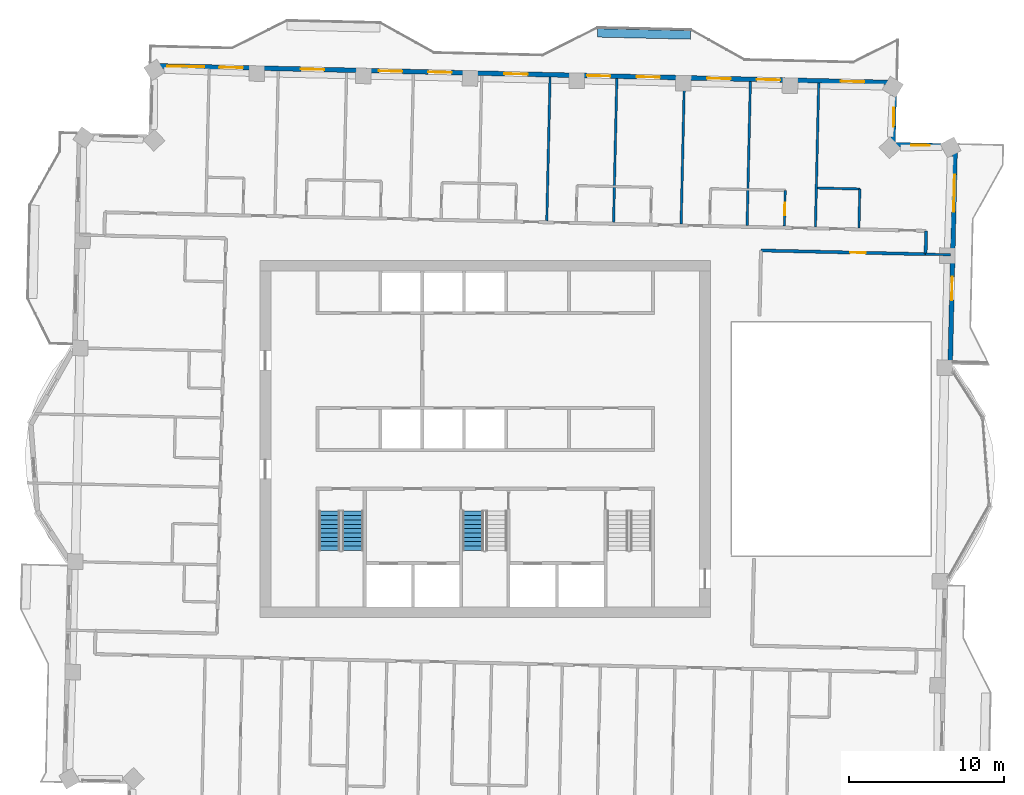
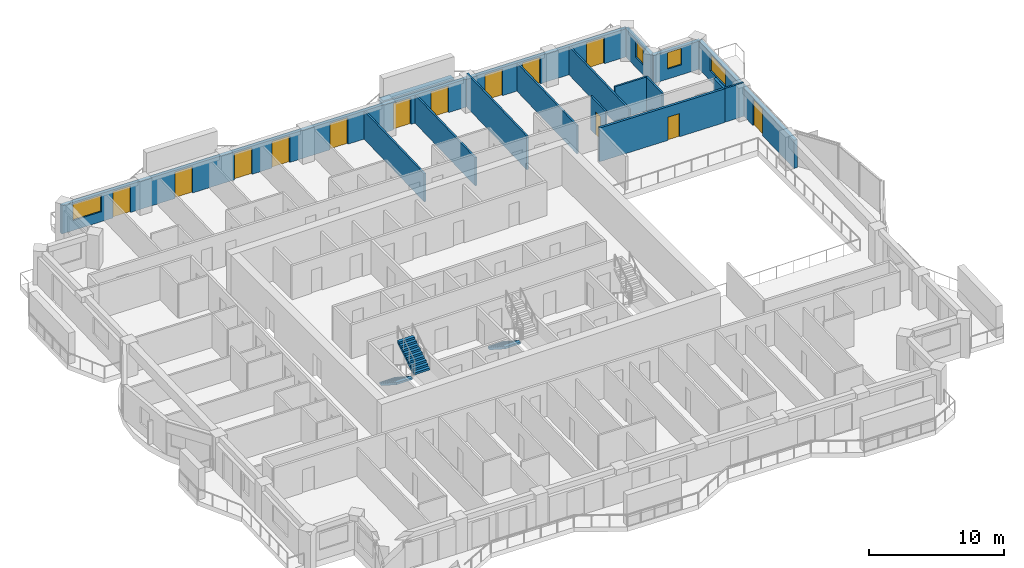
# One storey, part 12 of 17: 16 walls, 13 doors, 4 windows, 3 stair flights, 17 openings, 2 elements without a shape of their own.
"""IFC4 building model written with IfcOpenShell, lengths in metres."""

from ifc_helpers import new_model, si_unit, direction, frame, frame_2d, origin, place, context, subcontext, project, spatial, polyline, rectangle, outline, extrude, material, layer, layer_set, type_object, element, fill, aggregate, save


model = new_model("IFC4")

# Units and contexts
model_context = context("Model", 3, precision=1e-05, world=origin(), true_north=direction((0.0, 1.0)))
body_context = subcontext(model_context, "Body", "Model", "MODEL_VIEW")
ifc_project = project(units=[si_unit("LENGTHUNIT", "METRE"), si_unit("AREAUNIT", "SQUARE_METRE"), si_unit("VOLUMEUNIT", "CUBIC_METRE"), si_unit("PLANEANGLEUNIT", "RADIAN"), si_unit("MASSUNIT", "GRAM", prefix="KILO")], contexts=[model_context])

# Site, building, storey
site_placement = place(None, origin())
site = spatial("IfcSite", under=ifc_project, at=site_placement, CompositionType="ELEMENT")
building_placement = place(site_placement, origin())
building = spatial("IfcBuilding", under=site, at=building_placement, Name="Mangrove Gate Tower", CompositionType="ELEMENT")
storey_placement = place(building_placement, frame((0.0, 0.0, 268.10009765625)))
storey = spatial("IfcBuildingStorey", under=building, at=storey_placement, Name="L68", CompositionType="ELEMENT", Elevation=268.10009765625)

# Wall, opening, door
ifc_material_1 = material(Name="Gypsum board on steel stud, EI 60", Category="steel")
ifc_layer_1 = layer(ifc_material_1, 0.199951171875)
ifc_layer_set_1 = layer_set([ifc_layer_1], Name="Corridor wall EI 60")
wall_type_1 = type_object("IfcWallType", Name="Corridor wall EI 60", PredefinedType="PARTITIONING", material=ifc_layer_set_1)
wall_1_placement = place(storey_placement, frame((17.7529296875, 12.136962890625, 0.0), z_axis=(0.0, 0.0, 1.0), x_axis=(0.999743663474, -0.022640833553, 0.0)))
wall_1 = element("IfcWall", 1, at=wall_1_placement, inside=storey, type_object=wall_type_1, Name="WALL-L68-053", PredefinedType="PARTITIONING", context=body_context, shape_type="SweptSolid", body=[
    extrude(rectangle(XDim=10.599853515625, YDim=0.199951171875, at=frame_2d((5.2998046875, 0.0))), origin(), (0.0, 0.0, 1.0), 3.0498046875),
])
opening_1_placement = place(wall_1_placement, frame((5.75, 0.0, 0.0)))
opening_1 = element("IfcOpeningElement", 2, at=opening_1_placement, cuts=wall_1, Name="Opening AD", PredefinedType="OPENING", context=body_context, shape_type="SweptSolid", body=[
    extrude(rectangle(XDim=1.0, YDim=2.10009765625, at=frame_2d((0.5, 1.050048828125))), frame((0.0, 0.10986328125, 0.0), z_axis=(0.0, -1.0, 0.0), x_axis=(1.0, 0.0, 0.0)), (0.0, 0.0, 1.0), 0.219970703125),
])
ifc_material_2 = material(Name="Timber door leaf", Category="wood")
door_type_1 = type_object("IfcDoorType", Name="Amenity door 1000", OperationType="SINGLE_SWING_LEFT", PredefinedType="DOOR", material=ifc_material_2)
door_1_placement = place(opening_1_placement, origin())
door_1 = element("IfcDoor", 3, at=door_1_placement, inside=storey, type_object=door_type_1, Name="DOOR-L68-GAM-c3a", OperationType="SINGLE_SWING_RIGHT", OverallHeight=2.10009765625, OverallWidth=1.0, PredefinedType="DOOR", context=body_context, shape_type="SweptSolid", body=[
    extrude(rectangle(XDim=1.0, YDim=2.10009765625, at=frame_2d((0.5, 1.050048828125))), frame((0.0, 0.02490234375, 0.0), z_axis=(0.0, -1.0, 0.0), x_axis=(1.0, 0.0, 0.0)), (0.0, 0.0, 1.0), 0.050048828125),
])
fill(opening_1, door_1)

# Wall
wall_2_placement = place(storey_placement, frame((28.35400390625, 11.89697265625, 0.0), z_axis=(0.0, 0.0, 1.0), x_axis=(0.022632637625, 0.99974384905, 0.0)))
element("IfcWall", 4, at=wall_2_placement, inside=storey, type_object=wall_type_1, Name="WALL-L68-055", PredefinedType="PARTITIONING", context=body_context, shape_type="SweptSolid", body=[
    extrude(rectangle(XDim=1.49951171875, YDim=0.199951171875, at=frame_2d((0.749755859375, 0.0))), origin(), (0.0, 0.0, 1.0), 3.0498046875),
])

# Wall, openings, door, window
ifc_material_3 = material(Name="Limestone", Category="masonry")
ifc_layer_2 = layer(ifc_material_3, 0.0400390625, Name="Limestone cladding")
ifc_material_4 = material(Name="Ventilated air gap")
ifc_layer_3 = layer(ifc_material_4, 0.0400390625, Name="Ventilated cavity")
ifc_material_5 = material(Name="Mineral wool insulation")
ifc_layer_4 = layer(ifc_material_5, 0.06005859375, Name="Insulation")
ifc_material_6 = material(Name="Breather membrane")
ifc_layer_5 = layer(ifc_material_6, 0.001953125, Name="Breather membrane")
ifc_material_7 = material(Name="Concrete C20/25 blockwork", Category="masonry")
ifc_layer_6 = layer(ifc_material_7, 0.14990234375, Name="Blockwork backing wall")
ifc_material_8 = material(Name="Gypsum plaster")
ifc_layer_7 = layer(ifc_material_8, 0.008056640625, Name="Internal plaster")
ifc_layer_set_2 = layer_set([ifc_layer_2, ifc_layer_3, ifc_layer_4, ifc_layer_5, ifc_layer_6, ifc_layer_7], Name="External wall 300 limestone cladding")
wall_type_2 = type_object("IfcWallType", Name="External wall 300 limestone cladding", PredefinedType="SOLIDWALL", material=ifc_layer_set_2)
wall_3_placement = place(storey_placement, frame((29.923095703125, 4.0849609375, 0.0), z_axis=(0.0, 0.0, 1.0), x_axis=(0.022738672774, 0.999741442954, 0.0)))
wall_3 = element("IfcWall", 5, at=wall_3_placement, inside=storey, type_object=wall_type_2, Name="WALL-L68-E2s1", PredefinedType="SOLIDWALL", context=body_context, shape_type="SweptSolid", body=[
    extrude(rectangle(XDim=14.77392578125, YDim=0.300048828125, at=frame_2d((7.386962890625, 0.0))), origin(), (0.0, 0.0, 1.0), 2.5498046875),
])
opening_2_placement = place(wall_3_placement, frame((4.85302734375, 0.0, 0.0)))
opening_2 = element("IfcOpeningElement", 6, at=opening_2_placement, cuts=wall_3, Name="Opening BD1", PredefinedType="OPENING", context=body_context, shape_type="SweptSolid", body=[
    extrude(rectangle(XDim=1.5, YDim=2.39990234375, at=frame_2d((0.75, 1.199951171875))), frame((0.0, 0.159912109375, 0.0), z_axis=(0.0, -1.0, 0.0), x_axis=(1.0, 0.0, 0.0)), (0.0, 0.0, 1.0), 0.320068359375),
])
opening_3_placement = place(wall_3_placement, frame((10.5380859375, 0.0, 0.89990234375)))
opening_3 = element("IfcOpeningElement", 7, at=opening_3_placement, cuts=wall_3, Name="Opening W2", PredefinedType="OPENING", context=body_context, shape_type="SweptSolid", body=[
    extrude(rectangle(XDim=2.39990234375, YDim=1.5, at=frame_2d((1.199951171875, 0.75))), frame((0.0, 0.159912109375, 0.0), z_axis=(0.0, -1.0, 0.0), x_axis=(1.0, 0.0, 0.0)), (0.0, 0.0, 1.0), 0.320068359375),
])
ifc_material_9 = material(Name="Aluminium frame with laminated clear glass", Category="aluminium")
door_type_2 = type_object("IfcDoorType", Name="Balcony sliding door 1500x2400", OperationType="SLIDING_TO_LEFT", PredefinedType="DOOR", material=ifc_material_9)
door_2_placement = place(opening_2_placement, origin())
door_2 = element("IfcDoor", 8, at=door_2_placement, inside=storey, type_object=door_type_2, Name="DOOR-L68-E2-1", OperationType="SLIDING_TO_LEFT", OverallHeight=2.39990234375, OverallWidth=1.5, PredefinedType="DOOR", context=body_context, shape_type="SweptSolid", body=[
    extrude(rectangle(XDim=1.5, YDim=2.39990234375, at=frame_2d((0.75, 1.199951171875))), frame((0.0, 0.02490234375, 0.0), z_axis=(0.0, -1.0, 0.0), x_axis=(1.0, 0.0, 0.0)), (0.0, 0.0, 1.0), 0.050048828125),
])
fill(opening_2, door_2)
ifc_material_10 = material(Name="Aluminium frame with double-glazed low-e glass", Category="aluminium")
window_type_1 = type_object("IfcWindowType", Name="Corner room window 2400x1500", PartitioningType="DOUBLE_PANEL_VERTICAL", PredefinedType="WINDOW", material=ifc_material_10)
window_1_placement = place(opening_3_placement, origin())
window_1 = element("IfcWindow", 9, at=window_1_placement, inside=storey, type_object=window_type_1, Name="WIN-L68-E2-2", OverallHeight=1.5, OverallWidth=2.39990234375, PartitioningType="DOUBLE_PANEL_VERTICAL", PredefinedType="WINDOW", context=body_context, shape_type="SweptSolid", body=[
    extrude(rectangle(XDim=2.39990234375, YDim=1.5, at=frame_2d((1.199951171875, 0.75))), frame((0.0, 0.030029296875, 0.0), z_axis=(0.0, -1.0, 0.0), x_axis=(1.0, 0.0, 0.0)), (0.0, 0.0, 1.0), 0.06005859375),
])
fill(opening_3, window_1)

# Wall, opening, window
wall_4_placement = place(storey_placement, frame((30.259033203125, 18.85498046875, 0.0), z_axis=(0.0, 0.0, 1.0), x_axis=(-0.999740826251, 0.022765770952, 0.0)))
wall_4 = element("IfcWall", 10, at=wall_4_placement, inside=storey, type_object=wall_type_2, Name="WALL-L68-N3", PredefinedType="SOLIDWALL", context=body_context, shape_type="SweptSolid", body=[
    extrude(rectangle(XDim=4.0, YDim=0.300048828125, at=frame_2d((2.0, 0.0))), origin(), (0.0, 0.0, 1.0), 2.5498046875),
])
opening_4_placement = place(wall_4_placement, frame((1.632080078125, 0.0, 0.89990234375)))
opening_4 = element("IfcOpeningElement", 11, at=opening_4_placement, cuts=wall_4, Name="Opening W1", PredefinedType="OPENING", context=body_context, shape_type="SweptSolid", body=[
    extrude(rectangle(XDim=1.199951171875, YDim=1.5, at=frame_2d((0.60009765625, 0.75))), frame((0.0, 0.159912109375, 0.0), z_axis=(0.0, -1.0, 0.0), x_axis=(1.0, 0.0, 0.0)), (0.0, 0.0, 1.0), 0.320068359375),
])
ifc_material_11 = material(Name="Aluminium frame with double-glazed low-e glass", Category="aluminium")
window_type_2 = type_object("IfcWindowType", Name="Side lite 1200x1500", PartitioningType="SINGLE_PANEL", PredefinedType="WINDOW", material=ifc_material_11)
window_2_placement = place(opening_4_placement, origin())
window_2 = element("IfcWindow", 12, at=window_2_placement, inside=storey, type_object=window_type_2, Name="WIN-L68-N3-1", OverallHeight=1.5, OverallWidth=1.199951171875, PartitioningType="SINGLE_PANEL", PredefinedType="WINDOW", context=body_context, shape_type="SweptSolid", body=[
    extrude(rectangle(XDim=1.199951171875, YDim=1.5, at=frame_2d((0.60009765625, 0.75))), frame((0.0, 0.030029296875, 0.0), z_axis=(0.0, -1.0, 0.0), x_axis=(1.0, 0.0, 0.0)), (0.0, 0.0, 1.0), 0.06005859375),
])
fill(opening_4, window_2)

wall_5_placement = place(storey_placement, frame((26.260009765625, 18.946044921875, 0.0), z_axis=(0.0, 0.0, 1.0), x_axis=(0.022521758502, 0.999746353029, 0.0)))
wall_5 = element("IfcWall", 13, at=wall_5_placement, inside=storey, type_object=wall_type_2, Name="WALL-L68-E4", PredefinedType="SOLIDWALL", context=body_context, shape_type="SweptSolid", body=[
    extrude(rectangle(XDim=4.0, YDim=0.300048828125, at=frame_2d((2.0, 0.0))), origin(), (0.0, 0.0, 1.0), 2.5498046875),
])
opening_5_placement = place(wall_5_placement, frame((1.1689453125, 0.0, 0.89990234375)))
opening_5 = element("IfcOpeningElement", 14, at=opening_5_placement, cuts=wall_5, Name="Opening W1", PredefinedType="OPENING", context=body_context, shape_type="SweptSolid", body=[
    extrude(rectangle(XDim=1.199951171875, YDim=1.5, at=frame_2d((0.60009765625, 0.75))), frame((0.0, 0.159912109375, 0.0), z_axis=(0.0, -1.0, 0.0), x_axis=(1.0, 0.0, 0.0)), (0.0, 0.0, 1.0), 0.320068359375),
])
window_3_placement = place(opening_5_placement, origin())
window_3 = element("IfcWindow", 15, at=window_3_placement, inside=storey, type_object=window_type_2, Name="WIN-L68-E4-1", OverallHeight=1.5, OverallWidth=1.199951171875, PartitioningType="SINGLE_PANEL", PredefinedType="WINDOW", context=body_context, shape_type="SweptSolid", body=[
    extrude(rectangle(XDim=1.199951171875, YDim=1.5, at=frame_2d((0.60009765625, 0.75))), frame((0.0, 0.030029296875, 0.0), z_axis=(0.0, -1.0, 0.0), x_axis=(1.0, 0.0, 0.0)), (0.0, 0.0, 1.0), 0.06005859375),
])
fill(opening_5, window_3)

# Wall, openings, doors, window
wall_6_placement = place(storey_placement, frame((26.35009765625, 22.945068359375, 0.0), z_axis=(0.0, 0.0, 1.0), x_axis=(-0.999742523712, 0.022691105788, 0.0)))
wall_6 = element("IfcWall", 16, at=wall_6_placement, inside=storey, type_object=wall_type_2, Name="WALL-L68-N5", PredefinedType="SOLIDWALL", context=body_context, shape_type="SweptSolid", body=[
    extrude(rectangle(XDim=47.771240234375, YDim=0.300048828125, at=frame_2d((23.8857421875, 0.0))), origin(), (0.0, 0.0, 1.0), 2.5498046875),
])
opening_6_placement = place(wall_6_placement, frame((1.9541015625, 0.0, 0.0)))
opening_6 = element("IfcOpeningElement", 17, at=opening_6_placement, cuts=wall_6, Name="Opening BD1", PredefinedType="OPENING", context=body_context, shape_type="SweptSolid", body=[
    extrude(rectangle(XDim=1.5, YDim=2.39990234375, at=frame_2d((0.75, 1.199951171875))), frame((0.0, 0.159912109375, 0.0), z_axis=(0.0, -1.0, 0.0), x_axis=(1.0, 0.0, 0.0)), (0.0, 0.0, 1.0), 0.320068359375),
])
opening_7_placement = place(wall_6_placement, frame((7.3701171875, 0.0, 0.0)))
opening_7 = element("IfcOpeningElement", 18, at=opening_7_placement, cuts=wall_6, Name="Opening BD1", PredefinedType="OPENING", context=body_context, shape_type="SweptSolid", body=[
    extrude(rectangle(XDim=1.5, YDim=2.39990234375, at=frame_2d((0.75, 1.199951171875))), frame((0.0, 0.159912109375, 0.0), z_axis=(0.0, -1.0, 0.0), x_axis=(1.0, 0.0, 0.0)), (0.0, 0.0, 1.0), 0.320068359375),
])
opening_8_placement = place(wall_6_placement, frame((10.553955078125, 0.0, 0.0)))
opening_8 = element("IfcOpeningElement", 19, at=opening_8_placement, cuts=wall_6, Name="Opening BD1", PredefinedType="OPENING", context=body_context, shape_type="SweptSolid", body=[
    extrude(rectangle(XDim=1.5, YDim=2.39990234375, at=frame_2d((0.75, 1.199951171875))), frame((0.0, 0.159912109375, 0.0), z_axis=(0.0, -1.0, 0.0), x_axis=(1.0, 0.0, 0.0)), (0.0, 0.0, 1.0), 0.320068359375),
])
opening_9_placement = place(wall_6_placement, frame((15.10400390625, 0.0, 0.0)))
opening_9 = element("IfcOpeningElement", 20, at=opening_9_placement, cuts=wall_6, Name="Opening BD1", PredefinedType="OPENING", context=body_context, shape_type="SweptSolid", body=[
    extrude(rectangle(XDim=1.5, YDim=2.39990234375, at=frame_2d((0.75, 1.199951171875))), frame((0.0, 0.159912109375, 0.0), z_axis=(0.0, -1.0, 0.0), x_axis=(1.0, 0.0, 0.0)), (0.0, 0.0, 1.0), 0.320068359375),
])
opening_10_placement = place(wall_6_placement, frame((18.287109375, 0.0, 0.0)))
opening_10 = element("IfcOpeningElement", 21, at=opening_10_placement, cuts=wall_6, Name="Opening BD1", PredefinedType="OPENING", context=body_context, shape_type="SweptSolid", body=[
    extrude(rectangle(XDim=1.5, YDim=2.39990234375, at=frame_2d((0.75, 1.199951171875))), frame((0.0, 0.159912109375, 0.0), z_axis=(0.0, -1.0, 0.0), x_axis=(1.0, 0.0, 0.0)), (0.0, 0.0, 1.0), 0.320068359375),
])
opening_11_placement = place(wall_6_placement, frame((23.6220703125, 0.0, 0.0)))
opening_11 = element("IfcOpeningElement", 22, at=opening_11_placement, cuts=wall_6, Name="Opening BD1", PredefinedType="OPENING", context=body_context, shape_type="SweptSolid", body=[
    extrude(rectangle(XDim=1.5, YDim=2.39990234375, at=frame_2d((0.75, 1.199951171875))), frame((0.0, 0.159912109375, 0.0), z_axis=(0.0, -1.0, 0.0), x_axis=(1.0, 0.0, 0.0)), (0.0, 0.0, 1.0), 0.320068359375),
])
opening_12_placement = place(wall_6_placement, frame((28.52099609375, 0.0, 0.0)))
opening_12 = element("IfcOpeningElement", 23, at=opening_12_placement, cuts=wall_6, Name="Opening BD1", PredefinedType="OPENING", context=body_context, shape_type="SweptSolid", body=[
    extrude(rectangle(XDim=1.5, YDim=2.39990234375, at=frame_2d((0.75, 1.199951171875))), frame((0.0, 0.159912109375, 0.0), z_axis=(0.0, -1.0, 0.0), x_axis=(1.0, 0.0, 0.0)), (0.0, 0.0, 1.0), 0.320068359375),
])
opening_13_placement = place(wall_6_placement, frame((31.705078125, 0.0, 0.0)))
opening_13 = element("IfcOpeningElement", 24, at=opening_13_placement, cuts=wall_6, Name="Opening BD1", PredefinedType="OPENING", context=body_context, shape_type="SweptSolid", body=[
    extrude(rectangle(XDim=1.5, YDim=2.39990234375, at=frame_2d((0.75, 1.199951171875))), frame((0.0, 0.159912109375, 0.0), z_axis=(0.0, -1.0, 0.0), x_axis=(1.0, 0.0, 0.0)), (0.0, 0.0, 1.0), 0.320068359375),
])
opening_14_placement = place(wall_6_placement, frame((36.721923828125, 0.0, 0.0)))
opening_14 = element("IfcOpeningElement", 25, at=opening_14_placement, cuts=wall_6, Name="Opening BD1", PredefinedType="OPENING", context=body_context, shape_type="SweptSolid", body=[
    extrude(rectangle(XDim=1.5, YDim=2.39990234375, at=frame_2d((0.75, 1.199951171875))), frame((0.0, 0.159912109375, 0.0), z_axis=(0.0, -1.0, 0.0), x_axis=(1.0, 0.0, 0.0)), (0.0, 0.0, 1.0), 0.320068359375),
])
opening_15_placement = place(wall_6_placement, frame((41.962890625, 0.0, 0.0)))
opening_15 = element("IfcOpeningElement", 26, at=opening_15_placement, cuts=wall_6, Name="Opening BD1", PredefinedType="OPENING", context=body_context, shape_type="SweptSolid", body=[
    extrude(rectangle(XDim=1.5, YDim=2.39990234375, at=frame_2d((0.75, 1.199951171875))), frame((0.0, 0.159912109375, 0.0), z_axis=(0.0, -1.0, 0.0), x_axis=(1.0, 0.0, 0.0)), (0.0, 0.0, 1.0), 0.320068359375),
])
opening_16_placement = place(wall_6_placement, frame((44.43603515625, 0.0, 0.89990234375)))
opening_16 = element("IfcOpeningElement", 27, at=opening_16_placement, cuts=wall_6, Name="Opening W2", PredefinedType="OPENING", context=body_context, shape_type="SweptSolid", body=[
    extrude(rectangle(XDim=2.39990234375, YDim=1.5, at=frame_2d((1.199951171875, 0.75))), frame((0.0, 0.159912109375, 0.0), z_axis=(0.0, -1.0, 0.0), x_axis=(1.0, 0.0, 0.0)), (0.0, 0.0, 1.0), 0.320068359375),
])
door_3_placement = place(opening_6_placement, origin())
door_3 = element("IfcDoor", 28, at=door_3_placement, inside=storey, type_object=door_type_2, Name="DOOR-L68-N5-1", OperationType="SLIDING_TO_LEFT", OverallHeight=2.39990234375, OverallWidth=1.5, PredefinedType="DOOR", context=body_context, shape_type="SweptSolid", body=[
    extrude(rectangle(XDim=1.5, YDim=2.39990234375, at=frame_2d((0.75, 1.199951171875))), frame((0.0, 0.02490234375, 0.0), z_axis=(0.0, -1.0, 0.0), x_axis=(1.0, 0.0, 0.0)), (0.0, 0.0, 1.0), 0.050048828125),
])
fill(opening_6, door_3)
door_4_placement = place(opening_7_placement, origin())
door_4 = element("IfcDoor", 29, at=door_4_placement, inside=storey, type_object=door_type_2, Name="DOOR-L68-N5-2", OperationType="SLIDING_TO_LEFT", OverallHeight=2.39990234375, OverallWidth=1.5, PredefinedType="DOOR", context=body_context, shape_type="SweptSolid", body=[
    extrude(rectangle(XDim=1.5, YDim=2.39990234375, at=frame_2d((0.75, 1.199951171875))), frame((0.0, 0.02490234375, 0.0), z_axis=(0.0, -1.0, 0.0), x_axis=(1.0, 0.0, 0.0)), (0.0, 0.0, 1.0), 0.050048828125),
])
fill(opening_7, door_4)
door_5_placement = place(opening_8_placement, origin())
door_5 = element("IfcDoor", 30, at=door_5_placement, inside=storey, type_object=door_type_2, Name="DOOR-L68-N5-3", OperationType="SLIDING_TO_LEFT", OverallHeight=2.39990234375, OverallWidth=1.5, PredefinedType="DOOR", context=body_context, shape_type="SweptSolid", body=[
    extrude(rectangle(XDim=1.5, YDim=2.39990234375, at=frame_2d((0.75, 1.199951171875))), frame((0.0, 0.02490234375, 0.0), z_axis=(0.0, -1.0, 0.0), x_axis=(1.0, 0.0, 0.0)), (0.0, 0.0, 1.0), 0.050048828125),
])
fill(opening_8, door_5)
door_6_placement = place(opening_9_placement, origin())
door_6 = element("IfcDoor", 31, at=door_6_placement, inside=storey, type_object=door_type_2, Name="DOOR-L68-N5-4", OperationType="SLIDING_TO_LEFT", OverallHeight=2.39990234375, OverallWidth=1.5, PredefinedType="DOOR", context=body_context, shape_type="SweptSolid", body=[
    extrude(rectangle(XDim=1.5, YDim=2.39990234375, at=frame_2d((0.75, 1.199951171875))), frame((0.0, 0.02490234375, 0.0), z_axis=(0.0, -1.0, 0.0), x_axis=(1.0, 0.0, 0.0)), (0.0, 0.0, 1.0), 0.050048828125),
])
fill(opening_9, door_6)
door_7_placement = place(opening_10_placement, origin())
door_7 = element("IfcDoor", 32, at=door_7_placement, inside=storey, type_object=door_type_2, Name="DOOR-L68-N5-5", OperationType="SLIDING_TO_LEFT", OverallHeight=2.39990234375, OverallWidth=1.5, PredefinedType="DOOR", context=body_context, shape_type="SweptSolid", body=[
    extrude(rectangle(XDim=1.5, YDim=2.39990234375, at=frame_2d((0.75, 1.199951171875))), frame((0.0, 0.02490234375, 0.0), z_axis=(0.0, -1.0, 0.0), x_axis=(1.0, 0.0, 0.0)), (0.0, 0.0, 1.0), 0.050048828125),
])
fill(opening_10, door_7)
door_8_placement = place(opening_11_placement, origin())
door_8 = element("IfcDoor", 33, at=door_8_placement, inside=storey, type_object=door_type_2, Name="DOOR-L68-N5-6", OperationType="SLIDING_TO_LEFT", OverallHeight=2.39990234375, OverallWidth=1.5, PredefinedType="DOOR", context=body_context, shape_type="SweptSolid", body=[
    extrude(rectangle(XDim=1.5, YDim=2.39990234375, at=frame_2d((0.75, 1.199951171875))), frame((0.0, 0.02490234375, 0.0), z_axis=(0.0, -1.0, 0.0), x_axis=(1.0, 0.0, 0.0)), (0.0, 0.0, 1.0), 0.050048828125),
])
fill(opening_11, door_8)
door_9_placement = place(opening_12_placement, origin())
door_9 = element("IfcDoor", 34, at=door_9_placement, inside=storey, type_object=door_type_2, Name="DOOR-L68-N5-7", OperationType="SLIDING_TO_LEFT", OverallHeight=2.39990234375, OverallWidth=1.5, PredefinedType="DOOR", context=body_context, shape_type="SweptSolid", body=[
    extrude(rectangle(XDim=1.5, YDim=2.39990234375, at=frame_2d((0.75, 1.199951171875))), frame((0.0, 0.02490234375, 0.0), z_axis=(0.0, -1.0, 0.0), x_axis=(1.0, 0.0, 0.0)), (0.0, 0.0, 1.0), 0.050048828125),
])
fill(opening_12, door_9)
door_10_placement = place(opening_13_placement, origin())
door_10 = element("IfcDoor", 35, at=door_10_placement, inside=storey, type_object=door_type_2, Name="DOOR-L68-N5-8", OperationType="SLIDING_TO_LEFT", OverallHeight=2.39990234375, OverallWidth=1.5, PredefinedType="DOOR", context=body_context, shape_type="SweptSolid", body=[
    extrude(rectangle(XDim=1.5, YDim=2.39990234375, at=frame_2d((0.75, 1.199951171875))), frame((0.0, 0.02490234375, 0.0), z_axis=(0.0, -1.0, 0.0), x_axis=(1.0, 0.0, 0.0)), (0.0, 0.0, 1.0), 0.050048828125),
])
fill(opening_13, door_10)
door_11_placement = place(opening_14_placement, origin())
door_11 = element("IfcDoor", 36, at=door_11_placement, inside=storey, type_object=door_type_2, Name="DOOR-L68-N5-9", OperationType="SLIDING_TO_LEFT", OverallHeight=2.39990234375, OverallWidth=1.5, PredefinedType="DOOR", context=body_context, shape_type="SweptSolid", body=[
    extrude(rectangle(XDim=1.5, YDim=2.39990234375, at=frame_2d((0.75, 1.199951171875))), frame((0.0, 0.02490234375, 0.0), z_axis=(0.0, -1.0, 0.0), x_axis=(1.0, 0.0, 0.0)), (0.0, 0.0, 1.0), 0.050048828125),
])
fill(opening_14, door_11)
door_12_placement = place(opening_15_placement, origin())
door_12 = element("IfcDoor", 37, at=door_12_placement, inside=storey, type_object=door_type_2, Name="DOOR-L68-N5-10", OperationType="SLIDING_TO_LEFT", OverallHeight=2.39990234375, OverallWidth=1.5, PredefinedType="DOOR", context=body_context, shape_type="SweptSolid", body=[
    extrude(rectangle(XDim=1.5, YDim=2.39990234375, at=frame_2d((0.75, 1.199951171875))), frame((0.0, 0.02490234375, 0.0), z_axis=(0.0, -1.0, 0.0), x_axis=(1.0, 0.0, 0.0)), (0.0, 0.0, 1.0), 0.050048828125),
])
fill(opening_15, door_12)
window_4_placement = place(opening_16_placement, origin())
window_4 = element("IfcWindow", 38, at=window_4_placement, inside=storey, type_object=window_type_1, Name="WIN-L68-N5-11", OverallHeight=1.5, OverallWidth=2.39990234375, PartitioningType="DOUBLE_PANEL_VERTICAL", PredefinedType="WINDOW", context=body_context, shape_type="SweptSolid", body=[
    extrude(rectangle(XDim=2.39990234375, YDim=1.5, at=frame_2d((1.199951171875, 0.75))), frame((0.0, 0.030029296875, 0.0), z_axis=(0.0, -1.0, 0.0), x_axis=(1.0, 0.0, 0.0)), (0.0, 0.0, 1.0), 0.06005859375),
])
fill(opening_16, window_4)

# Walls
ifc_material_12 = material(Name="Gypsum board on steel stud, EI 60", Category="steel")
ifc_layer_8 = layer(ifc_material_12, 0.14990234375)
ifc_layer_set_3 = layer_set([ifc_layer_8], Name="Party wall 150 EI 60")
wall_type_3 = type_object("IfcWallType", Name="Party wall 150 EI 60", PredefinedType="PARTITIONING", material=ifc_layer_set_3)
wall_7_placement = place(storey_placement, frame((28.35009765625, 11.89697265625, 0.0), z_axis=(0.0, 0.0, 1.0), x_axis=(0.999734618493, -0.023036765969, 0.0)))
element("IfcWall", 39, at=wall_7_placement, inside=storey, type_object=wall_type_3, Name="WALL-L68-054", PredefinedType="PARTITIONING", context=body_context, shape_type="SweptSolid", body=[
    extrude(rectangle(XDim=1.600341796875, YDim=0.14990234375, at=frame_2d((0.80029296875, 0.0))), origin(), (0.0, 0.0, 1.0), 3.0498046875),
])
for number, where, z_axis, x_axis, name in (
    (40, (3.967041015625, 14.050048828125, 0.0), (0.0, 0.0, 1.0), (0.022697424684, 0.999742380272, 0.0), "WALL-L68-067"),
    (41, (8.26611328125, 13.952880859375, 0.0), (0.0, 0.0, 1.0), (0.022697424684, 0.999742380272, 0.0), "WALL-L68-069"),
):
    element("IfcWall", number, at=place(storey_placement, frame(where, z_axis=z_axis, x_axis=x_axis)), inside=storey, type_object=wall_type_3, Name=name, PredefinedType="PARTITIONING", context=body_context, shape_type="SweptSolid", body=[
        extrude(rectangle(XDim=9.25048828125, YDim=0.14990234375, at=frame_2d((4.625244140625, 0.0))), origin(), (0.0, 0.0, 1.0), 2.5498046875),
    ])
wall_8_placement = place(storey_placement, frame((12.614990234375, 13.85400390625, 0.0), z_axis=(0.0, 0.0, 1.0), x_axis=(0.022591909275, 0.999744770247, 0.0)))
element("IfcWall", 42, at=wall_8_placement, inside=storey, type_object=wall_type_3, Name="WALL-L68-071", PredefinedType="PARTITIONING", context=body_context, shape_type="SweptSolid", body=[
    extrude(rectangle(XDim=9.25048828125, YDim=0.14990234375, at=frame_2d((4.625244140625, 0.0))), origin(), (0.0, 0.0, 1.0), 3.0498046875),
])
wall_9_placement = place(storey_placement, frame((16.863037109375, 13.758056640625, 0.0), z_axis=(0.0, 0.0, 1.0), x_axis=(0.0227004195, 0.999742312276, 0.0)))
element("IfcWall", 43, at=wall_9_placement, inside=storey, type_object=wall_type_3, Name="WALL-L68-073", PredefinedType="PARTITIONING", context=body_context, shape_type="SweptSolid", body=[
    extrude(rectangle(XDim=9.249267578125, YDim=0.14990234375, at=frame_2d((4.62451171875, 0.0))), origin(), (0.0, 0.0, 1.0), 2.5498046875),
])

# Wall, opening, door
wall_10_placement = place(storey_placement, frame((19.262939453125, 13.702880859375, 0.0), z_axis=(0.0, 0.0, 1.0), x_axis=(0.022603288534, 0.999744513037, 0.0)))
wall_10 = element("IfcWall", 44, at=wall_10_placement, inside=storey, type_object=wall_type_3, Name="WALL-L68-074", PredefinedType="PARTITIONING", context=body_context, shape_type="SweptSolid", body=[
    extrude(rectangle(XDim=2.300537109375, YDim=0.14990234375, at=frame_2d((1.150390625, 0.0))), origin(), (0.0, 0.0, 1.0), 3.0498046875),
])
opening_17_placement = place(wall_10_placement, frame((0.699951171875, 0.0, 0.0)))
opening_17 = element("IfcOpeningElement", 45, at=opening_17_placement, cuts=wall_10, Name="Opening ED", PredefinedType="OPENING", context=body_context, shape_type="SweptSolid", body=[
    extrude(rectangle(XDim=0.800048828125, YDim=2.10009765625, at=frame_2d((0.39990234375, 1.050048828125))), frame((0.0, 0.0849609375, 0.0), z_axis=(0.0, -1.0, 0.0), x_axis=(1.0, 0.0, 0.0)), (0.0, 0.0, 1.0), 0.169921875),
])
ifc_material_13 = material(Name="Timber door leaf", Category="wood")
door_type_3 = type_object("IfcDoorType", Name="En-suite door 800", OperationType="SINGLE_SWING_LEFT", PredefinedType="DOOR", material=ifc_material_13)
door_13_placement = place(opening_17_placement, origin())
door_13 = element("IfcDoor", 46, at=door_13_placement, inside=storey, type_object=door_type_3, Name="DOOR-L68-ENS-c309", OperationType="SINGLE_SWING_LEFT", OverallHeight=2.10009765625, OverallWidth=0.800048828125, PredefinedType="DOOR", context=body_context, shape_type="SweptSolid", body=[
    extrude(rectangle(XDim=0.800048828125, YDim=2.10009765625, at=frame_2d((0.39990234375, 1.050048828125))), frame((0.0, 0.02490234375, 0.0), z_axis=(0.0, -1.0, 0.0), x_axis=(1.0, 0.0, 0.0)), (0.0, 0.0, 1.0), 0.050048828125),
])
fill(opening_17, door_13)

# Walls
wall_11_placement = place(storey_placement, frame((21.261962890625, 13.657958984375, 0.0), z_axis=(0.0, 0.0, 1.0), x_axis=(0.022697424684, 0.999742380272, 0.0)))
element("IfcWall", 47, at=wall_11_placement, inside=storey, type_object=wall_type_3, Name="WALL-L68-075", PredefinedType="PARTITIONING", context=body_context, shape_type="SweptSolid", body=[
    extrude(rectangle(XDim=9.25048828125, YDim=0.14990234375, at=frame_2d((4.625244140625, 0.0))), origin(), (0.0, 0.0, 1.0), 2.5498046875),
])
wall_12_placement = place(storey_placement, frame((24.06201171875, 13.593994140625, 0.0), z_axis=(0.0, 0.0, 1.0), x_axis=(0.022357691225, 0.99975003558, 0.0)))
element("IfcWall", 48, at=wall_12_placement, inside=storey, type_object=wall_type_3, Name="WALL-L68-076", PredefinedType="PARTITIONING", context=body_context, shape_type="SweptSolid", body=[
    extrude(rectangle(XDim=2.500732421875, YDim=0.14990234375, at=frame_2d((1.25048828125, 0.0))), origin(), (0.0, 0.0, 1.0), 3.0498046875),
])
wall_13_placement = place(storey_placement, frame((21.39794921875, 16.155029296875, 0.0), z_axis=(0.0, 0.0, 1.0), x_axis=(0.999749092391, -0.022399827308, 0.0)))
element("IfcWall", 49, at=wall_13_placement, inside=storey, type_object=wall_type_3, Name="WALL-L68-082", PredefinedType="PARTITIONING", context=body_context, shape_type="SweptSolid", body=[
    extrude(rectangle(XDim=2.724853515625, YDim=0.14990234375, at=frame_2d((1.3623046875, 0.0))), origin(), (0.0, 0.0, 1.0), 3.0498046875),
])
ifc_material_14 = material(Name="Concrete C32/40", Category="concrete")
ifc_layer_9 = layer(ifc_material_14, 0.199951171875, Name="Planter trough wall")
ifc_material_15 = material(Name="Bituminous waterproofing membrane")
ifc_layer_10 = layer(ifc_material_15, 0.0048828125, Name="Waterproofing")
ifc_material_16 = material(Name="Drainage board and gravel")
ifc_layer_11 = layer(ifc_material_16, 0.044921875, Name="Drainage layer")
ifc_material_17 = material(Name="Planting soil")
ifc_layer_12 = layer(ifc_material_17, 0.300048828125, Name="Growing medium")
ifc_layer_set_4 = layer_set([ifc_layer_9, ifc_layer_10, ifc_layer_11, ifc_layer_12], Name="Planter wall 550 C32/40")
wall_type_4 = type_object("IfcWallType", Name="Planter wall 550 C32/40", PredefinedType="USERDEFINED", material=ifc_layer_set_4)
wall_14_placement = place(storey_placement, frame((7.23193359375, 26.14404296875, 0.0), z_axis=(0.0, 0.0, 1.0), x_axis=(0.999743178102, -0.022662255828, 0.0)))
element("IfcWall", 50, at=wall_14_placement, inside=storey, type_object=wall_type_4, Name="PLANTER L68 N0.1", ObjectType="PLANTER", PredefinedType="USERDEFINED", context=body_context, shape_type="SweptSolid", body=[
    extrude(rectangle(XDim=6.00048828125, YDim=0.550048828125, at=frame_2d((3.000244140625, 0.0))), origin(), (0.0, 0.0, 1.0), 0.7998046875),
])

# Stair, stair flights
ifc_material_18 = material(Name="Concrete C40/50", Category="concrete")
stair_type = type_object("IfcStairType", Name="Core stair 1350", PredefinedType="HALF_TURN_STAIR", material=ifc_material_18)
stair_1_placement = place(storey_placement, origin())
stair_1 = element("IfcStair", 51, at=stair_1_placement, inside=storey, type_object=stair_type, Name="L68 Stair 1", PredefinedType="HALF_TURN_STAIR")
ifc_material_19 = material(Name="Concrete C40/50", Category="concrete")
stair_flight_type = type_object("IfcStairFlightType", Name="Core stair flight 1350", PredefinedType="STRAIGHT", material=ifc_material_19)
stair_flight_1_placement = place(storey_placement, frame((-10.02490234375, -4.64990234375, 0.0), z_axis=(0.0, 0.0, 1.0), x_axis=(0.0, -1.0, 0.0)))
stair_flight_1 = element("IfcStairFlight", 52, at=stair_flight_1_placement, type_object=stair_flight_type, Name="ST1 flight 1", NumberOfRisers=10, NumberOfTreads=9, PredefinedType="STRAIGHT", RiserHeight=0.18, TreadLength=0.28, context=body_context, shape_type="SweptSolid", body=[
    extrude(outline(polyline([(0.0, 0.0), (0.0, 0.179931640625), (0.280029296875, 0.179931640625), (0.280029296875, 0.360107421875), (0.56005859375, 0.360107421875), (0.56005859375, 0.5400390625), (0.840087890625, 0.5400390625), (0.840087890625, 0.719970703125), (1.1201171875, 0.719970703125), (1.1201171875, 0.89990234375), (1.39990234375, 0.89990234375), (1.39990234375, 1.080078125), (1.679931640625, 1.080078125), (1.679931640625, 1.260009765625), (1.9599609375, 1.260009765625), (1.9599609375, 1.43994140625), (2.239990234375, 1.43994140625), (2.239990234375, 1.6201171875), (2.52001953125, 1.6201171875), (2.52001953125, 1.800048828125), (2.52001953125, 1.44189453125), (0.277099609375, 0.0), (0.0, 0.0)])), frame((0.0, 0.675048828125, 0.0), z_axis=(0.0, -1.0, 0.0), x_axis=(1.0, 0.0, 0.0)), (0.0, 0.0, 1.0), 1.35009765625),
])
stair_flight_2_placement = place(storey_placement, frame((-8.52490234375, -7.169921875, 1.7998046875), z_axis=(0.0, 0.0, 1.0), x_axis=(0.0, 1.0, 0.0)))
stair_flight_2 = element("IfcStairFlight", 53, at=stair_flight_2_placement, type_object=stair_flight_type, Name="ST1 flight 2", NumberOfRisers=10, NumberOfTreads=9, PredefinedType="STRAIGHT", RiserHeight=0.18, TreadLength=0.28, context=body_context, shape_type="SweptSolid", body=[
    extrude(outline(polyline([(0.0, 0.0), (0.0, 0.179931640625), (0.280029296875, 0.179931640625), (0.280029296875, 0.360107421875), (0.56005859375, 0.360107421875), (0.56005859375, 0.5400390625), (0.840087890625, 0.5400390625), (0.840087890625, 0.719970703125), (1.1201171875, 0.719970703125), (1.1201171875, 0.89990234375), (1.39990234375, 0.89990234375), (1.39990234375, 1.080078125), (1.679931640625, 1.080078125), (1.679931640625, 1.260009765625), (1.9599609375, 1.260009765625), (1.9599609375, 1.43994140625), (2.239990234375, 1.43994140625), (2.239990234375, 1.6201171875), (2.52001953125, 1.6201171875), (2.52001953125, 1.800048828125), (2.52001953125, 1.44189453125), (0.277099609375, 0.0), (0.0, 0.0)])), frame((0.0, 0.675048828125, 0.0), z_axis=(0.0, -1.0, 0.0), x_axis=(1.0, 0.0, 0.0)), (0.0, 0.0, 1.0), 1.35009765625),
])
aggregate(stair_1, [stair_flight_1, stair_flight_2])

# Stair, stair flight
stair_2_placement = place(storey_placement, origin())
stair_2 = element("IfcStair", 54, at=stair_2_placement, inside=storey, type_object=stair_type, Name="L68 Stair 2", PredefinedType="HALF_TURN_STAIR")
stair_flight_3_placement = place(storey_placement, frame((-0.77490234375, -4.64990234375, 0.0), z_axis=(0.0, 0.0, 1.0), x_axis=(0.0, -1.0, 0.0)))
stair_flight_3 = element("IfcStairFlight", 55, at=stair_flight_3_placement, type_object=stair_flight_type, Name="ST2 flight 1", NumberOfRisers=10, NumberOfTreads=9, PredefinedType="STRAIGHT", RiserHeight=0.18, TreadLength=0.28, context=body_context, shape_type="SweptSolid", body=[
    extrude(outline(polyline([(0.0, 0.0), (0.0, 0.179931640625), (0.280029296875, 0.179931640625), (0.280029296875, 0.360107421875), (0.56005859375, 0.360107421875), (0.56005859375, 0.5400390625), (0.840087890625, 0.5400390625), (0.840087890625, 0.719970703125), (1.1201171875, 0.719970703125), (1.1201171875, 0.89990234375), (1.39990234375, 0.89990234375), (1.39990234375, 1.080078125), (1.679931640625, 1.080078125), (1.679931640625, 1.260009765625), (1.9599609375, 1.260009765625), (1.9599609375, 1.43994140625), (2.239990234375, 1.43994140625), (2.239990234375, 1.6201171875), (2.52001953125, 1.6201171875), (2.52001953125, 1.800048828125), (2.52001953125, 1.44189453125), (0.277099609375, 0.0), (0.0, 0.0)])), frame((0.0, 0.675048828125, 0.0), z_axis=(0.0, -1.0, 0.0), x_axis=(1.0, 0.0, 0.0)), (0.0, 0.0, 1.0), 1.35009765625),
])
aggregate(stair_2, [stair_flight_3])

save(model, "model.ifc")
